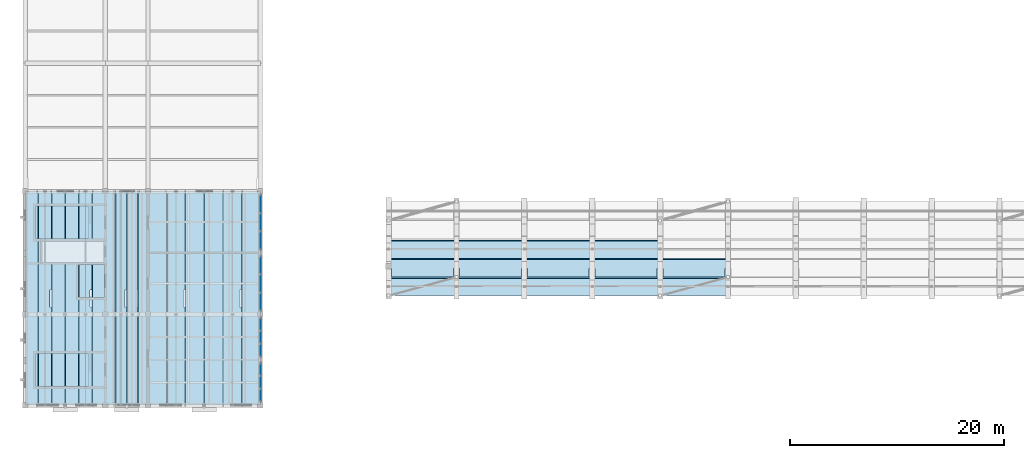
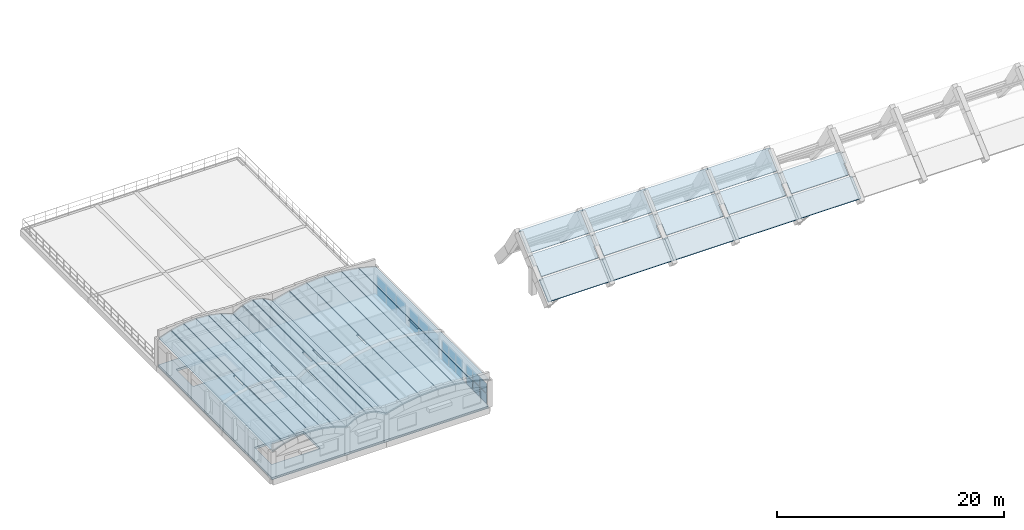
# One storey, part 19 of 40: 31 slabs, 24 plates, 4 elements without a shape of their own.
"""IFC4 building model written with IfcOpenShell, lengths in metres."""

import ifcopenshell
import ifcopenshell.guid

model = None  # the IFC model being written
_history = None  # IfcOwnerHistory: only IFC2X3 demands one
_inside = {}  # id of a spatial element -> (the spatial element, [elements in it])
_under = {}  # id of a project, library or spatial element -> (it, [spatial elements below it])
_declared = {}  # id of a project -> (the project, [libraries it declares])
_typed = {}  # id of a type object -> (the type object, [elements of that type])
_made_of = {}  # id of a material, layer set ... -> (it, [elements and type objects made of it])


def new_model(schema):
    """Start an empty IFC model of exactly this schema.

    Asked for "IFC4X3", IfcOpenShell would pick the latest addendum, in which some entities
    have other attributes; the version numbers below select the first issue.
    IFC2X3 requires an IfcOwnerHistory on every rooted entity: one is made here for all.
    """
    global model, _history
    if schema == "IFC4X3":
        model = ifcopenshell.file(schema_version=(4, 3, 0, 0))
    else:
        model = ifcopenshell.file(schema=schema)
    _inside.clear()
    _under.clear()
    _declared.clear()
    _typed.clear()
    _made_of.clear()
    _history = None
    if model.schema == "IFC2X3":
        org = make("IfcOrganization", Name="unknown")
        user = make(
            "IfcPersonAndOrganization",
            ThePerson=make("IfcPerson", FamilyName="unknown"),
            TheOrganization=org,
        )
        app = make(
            "IfcApplication",
            ApplicationDeveloper=org,
            Version="unknown",
            ApplicationFullName="unknown",
            ApplicationIdentifier="unknown",
        )
        _history = make(
            "IfcOwnerHistory",
            OwningUser=user,
            OwningApplication=app,
            ChangeAction="ADDED",
            CreationDate=0,
        )
    return model


def make(cls, **values):
    """One entity of the class cls with the attributes given. An attribute that is None is left unset."""
    return model.create_entity(
        cls, **{name: value for name, value in values.items() if value is not None}
    )


def rooted(cls, **values):
    """An entity with a GlobalId (a new one), such as an element, a storey or a relation."""
    return make(cls, GlobalId=ifcopenshell.guid.new(), OwnerHistory=_history, **values)


def si_unit(unit_type, name, prefix=None):
    """IfcSIUnit, for example si_unit("LENGTHUNIT", "METRE", prefix="MILLI")."""
    return make("IfcSIUnit", UnitType=unit_type, Prefix=prefix, Name=name)


def assignment(units):
    """IfcUnitAssignment: the units of a project."""
    return None if units is None else make("IfcUnitAssignment", Units=units)


def point(xyz):
    """IfcCartesianPoint."""
    return None if xyz is None else make("IfcCartesianPoint", Coordinates=xyz)


def direction(xyz):
    """IfcDirection."""
    return None if xyz is None else make("IfcDirection", DirectionRatios=xyz)


def frame(location, z_axis=None, x_axis=None):
    """IfcAxis2Placement3D, a coordinate frame: its origin and axes. An axis left out is left unset."""
    return make(
        "IfcAxis2Placement3D",
        Location=point(location),
        Axis=direction(z_axis),
        RefDirection=direction(x_axis),
    )


def frame_2d(location, x_axis=None):
    """IfcAxis2Placement2D, a coordinate frame in the plane: its origin and x axis."""
    return make(
        "IfcAxis2Placement2D", Location=point(location), RefDirection=direction(x_axis)
    )


def origin():
    """The frame at (0, 0, 0) with its axes left unset."""
    return frame((0.0, 0.0, 0.0))


def origin_2d():
    """The frame at (0, 0) in the plane with its x axis left unset."""
    return frame_2d((0.0, 0.0))


def place(relative_to, where):
    """IfcLocalPlacement: puts the frame where relative to a parent placement (None: the world)."""
    return make(
        "IfcLocalPlacement", PlacementRelTo=relative_to, RelativePlacement=where
    )


def context(
    kind, dimensions, precision=None, world=None, true_north=None, identifier=None
):
    """IfcGeometricRepresentationContext, for example the 3D "Model" context."""
    return make(
        "IfcGeometricRepresentationContext",
        ContextIdentifier=identifier,
        ContextType=kind,
        CoordinateSpaceDimension=dimensions,
        Precision=precision,
        WorldCoordinateSystem=world,
        TrueNorth=true_north,
    )


def subcontext(parent, identifier, kind, view, scale=None):
    """IfcGeometricRepresentationSubContext, for example "Body" below "Model"."""
    return make(
        "IfcGeometricRepresentationSubContext",
        ContextIdentifier=identifier,
        ContextType=kind,
        ParentContext=parent,
        TargetScale=scale,
        TargetView=view,
    )


def project(units=None, contexts=None):
    """IfcProject with its units and contexts."""
    return rooted(
        "IfcProject",
        Name="project",
        RepresentationContexts=contexts,
        UnitsInContext=assignment(units),
    )


def spatial(cls, under=None, at=None, **own):
    """A site, building, storey or space (cls), placed at a placement, below another one or the project."""
    s = rooted(cls, ObjectPlacement=at, **own)
    if under is not None:
        _under.setdefault(under.id(), (under, []))[1].append(s)
    return s


def polyline(points):
    """IfcPolyline through the points."""
    return make("IfcPolyline", Points=[point(p) for p in points])


def profile(cls, at=None, kind="AREA", **sizes):
    """A parametric profile (cls). Its sizes go by their IFC names, for example OverallWidth=200.0."""
    return make(cls, ProfileType=kind, Position=at, **sizes)


def rectangle(**sizes):
    """IfcRectangleProfileDef."""
    return profile("IfcRectangleProfileDef", **sizes)


def outline(outer, holes=None, kind="AREA"):
    """IfcArbitraryClosedProfileDef: a profile drawn as a closed curve; with holes, ...WithVoids."""
    if holes is None:
        return make("IfcArbitraryClosedProfileDef", ProfileType=kind, OuterCurve=outer)
    return make(
        "IfcArbitraryProfileDefWithVoids",
        ProfileType=kind,
        OuterCurve=outer,
        InnerCurves=holes,
    )


def extrude(swept, where, along, depth):
    """IfcExtrudedAreaSolid: the profile swept, set in the frame where, extruded along a direction by depth."""
    return make(
        "IfcExtrudedAreaSolid",
        SweptArea=swept,
        Position=where,
        ExtrudedDirection=direction(along),
        Depth=depth,
    )


def shape(context_of_items, identifier, shape_type, items):
    """IfcShapeRepresentation: the items that make up one representation, for example the "Body"."""
    return make(
        "IfcShapeRepresentation",
        ContextOfItems=context_of_items,
        RepresentationIdentifier=identifier,
        RepresentationType=shape_type,
        Items=items,
    )


def material(Name=None, Category=None):
    """IfcMaterial."""
    return make("IfcMaterial", Name=Name, Category=Category)


def layer(
    of_material, thickness, ventilated=None, Name=None, Category=None, Priority=None
):
    """IfcMaterialLayer: one layer of a wall or slab, of a material (None: an air gap)."""
    return make(
        "IfcMaterialLayer",
        Material=of_material,
        LayerThickness=thickness,
        IsVentilated=ventilated,
        Name=Name,
        Category=Category,
        Priority=Priority,
    )


def layer_set(layers, Name=None):
    """IfcMaterialLayerSet."""
    return make("IfcMaterialLayerSet", MaterialLayers=layers, LayerSetName=Name)


def made_of(thing, what):
    """Note that an element or type object is made of a material, layer set ...; save() writes the relation."""
    if what is not None:
        _made_of.setdefault(what.id(), (what, []))[1].append(thing)
    return thing


def type_object(cls, material=None, **own):
    """A type object (cls), such as IfcWallType, which elements share."""
    return made_of(rooted(cls, **own), material)


def element(
    cls,
    number,
    at=None,
    inside=None,
    cuts=None,
    type_object=None,
    material=None,
    context=None,
    identifier="Body",
    shape_type=None,
    held_by="IfcProductDefinitionShape",
    body=None,
    shapes=None,
    **own,
):
    """One element of the class cls, such as IfcWall. Its Tag is "e" and its number.

    at: its placement. inside: the storey or other place that contains it. cuts: it is an
    opening in that element (IfcRelVoidsElement). A single representation is given by context,
    identifier, shape_type and body (its items); several are given by shapes. held_by: the class
    of the entity that holds the representations. save() writes the other relations.
    """
    e = rooted(cls, Tag="e%d" % number, ObjectPlacement=at, **own)
    if body is not None:
        shapes = [shape(context, identifier, shape_type, body)]
    if shapes is not None:
        e.Representation = make(held_by, Representations=shapes)
    if inside is not None:
        _inside.setdefault(inside.id(), (inside, []))[1].append(e)
    if cuts is not None:
        rooted(
            "IfcRelVoidsElement", RelatingBuildingElement=cuts, RelatedOpeningElement=e
        )
    if type_object is not None:
        _typed.setdefault(type_object.id(), (type_object, []))[1].append(e)
    return made_of(e, material)


def aggregate(whole, parts):
    """IfcRelAggregates: a whole, such as a stair, and the parts it consists of."""
    return rooted("IfcRelAggregates", RelatingObject=whole, RelatedObjects=parts)


def save(model, path):
    """Write the relations noted so far, then the file.

    IfcRelAggregates (storeys below a building ...), IfcRelContainedInSpatialStructure (elements
    in a storey), IfcRelDefinesByType, IfcRelAssociatesMaterial and IfcRelDeclares: one each for
    every whole, place, type object, material and project.
    """
    for whole, parts in _under.values():
        aggregate(whole, parts)
    for where, things in _inside.values():
        rooted(
            "IfcRelContainedInSpatialStructure",
            RelatedElements=things,
            RelatingStructure=where,
        )
    for kind, things in _typed.values():
        rooted("IfcRelDefinesByType", RelatedObjects=things, RelatingType=kind)
    for what, things in _made_of.values():
        rooted("IfcRelAssociatesMaterial", RelatedObjects=things, RelatingMaterial=what)
    for by, libraries in _declared.values():
        rooted("IfcRelDeclares", RelatingContext=by, RelatedDefinitions=libraries)
    model.write(path)


model = new_model("IFC4")

# Units and contexts
model_context = context("Model", 3, precision=1e-05, world=origin(), true_north=direction((0.0, 1.0)))
body_context = subcontext(model_context, "Body", "Model", "MODEL_VIEW")
ifc_project = project(units=[si_unit("LENGTHUNIT", "METRE"), si_unit("AREAUNIT", "SQUARE_METRE"), si_unit("VOLUMEUNIT", "CUBIC_METRE"), si_unit("PLANEANGLEUNIT", "RADIAN"), si_unit("MASSUNIT", "GRAM", prefix="KILO")], contexts=[model_context])

# Site, building, storey
site_placement = place(None, origin())
site = spatial("IfcSite", under=ifc_project, at=site_placement, CompositionType="ELEMENT")
building_placement = place(site_placement, origin())
building = spatial("IfcBuilding", under=site, at=building_placement, Name="Trellovar Central Fire Station", CompositionType="ELEMENT")
storey_placement = place(building_placement, frame((0.0, 0.0, 12.75)))
storey = spatial("IfcBuildingStorey", under=building, at=storey_placement, Name="L04", CompositionType="ELEMENT", Elevation=12.75)

# Curtain wall, plate
ifc_material_1 = material(Name="Thermally broken bronze anodized aluminum", Category="aluminium")
ifc_layer_1 = layer(ifc_material_1, 0.159912109375)
ifc_layer_set_1 = layer_set([ifc_layer_1], Name="Thermally broken bronze anodized aluminum")
curtain_wall_type_1 = type_object("IfcCurtainWallType", Name="CW-01", PredefinedType="NOTDEFINED", material=ifc_layer_set_1)
curtain_wall_1_placement = place(storey_placement, origin())
curtain_wall_1 = element("IfcCurtainWall", 1, at=curtain_wall_1_placement, inside=storey, type_object=curtain_wall_type_1, Name="L04 curtain wall CW-1", PredefinedType="NOTDEFINED")
ifc_material_2 = material(Name="Double low-E solar control insulated glazing", Category="glass")
ifc_layer_2 = layer(ifc_material_2, 0.031982421875)
ifc_layer_set_2 = layer_set([ifc_layer_2], Name="Double low-E solar control insulated glazing")
plate_type_1 = type_object("IfcPlateType", Name="CWP-GL1", PredefinedType="CURTAIN_PANEL", material=ifc_layer_set_2)
plate_1_placement = place(storey_placement, frame((23.0, 12.345703125, 1.159912109375), z_axis=(0.0, 0.0, 1.0), x_axis=(0.0, 1.0, 0.0)))
plate_1 = element("IfcPlate", 2, at=plate_1_placement, type_object=plate_type_1, Name="CW3-L04-0053 panel 3-2", PredefinedType="CURTAIN_PANEL", context=body_context, shape_type="SweptSolid", body=[
    extrude(rectangle(XDim=1.12841796875, YDim=0.031982421875, at=origin_2d()), origin(), (0.0, 0.0, 1.0), 1.0400390625),
])

curtain_wall_2_placement = place(storey_placement, origin())
curtain_wall_2 = element("IfcCurtainWall", 3, at=curtain_wall_2_placement, inside=storey, type_object=curtain_wall_type_1, Name="L04 curtain wall CW-1", PredefinedType="NOTDEFINED")
plate_2_placement = place(storey_placement, frame((23.0, 15.362548828125, 1.159912109375), z_axis=(0.0, 0.0, 1.0), x_axis=(0.0, 1.0, 0.0)))
plate_2 = element("IfcPlate", 4, at=plate_2_placement, type_object=plate_type_1, Name="CW3-L04-0054 panel 2-2", PredefinedType="CURTAIN_PANEL", context=body_context, shape_type="SweptSolid", body=[
    extrude(rectangle(XDim=1.12841796875, YDim=0.031982421875, at=origin_2d()), origin(), (0.0, 0.0, 1.0), 1.0400390625),
])

ifc_material_3 = material(Name="Thermally broken bronze anodized aluminum", Category="aluminium")
ifc_layer_3 = layer(ifc_material_3, 0.159912109375)
ifc_layer_set_3 = layer_set([ifc_layer_3], Name="Thermally broken bronze anodized aluminum")
curtain_wall_type_2 = type_object("IfcCurtainWallType", Name="CW-02", PredefinedType="NOTDEFINED", material=ifc_layer_set_3)
curtain_wall_3_placement = place(storey_placement, origin())
curtain_wall_3 = element("IfcCurtainWall", 5, at=curtain_wall_3_placement, inside=storey, type_object=curtain_wall_type_2, Name="L04 curtain wall CW-2", PredefinedType="NOTDEFINED")
plate_3_placement = place(storey_placement, frame((23.0, 18.67919921875, 1.159912109375), z_axis=(0.0, 0.0, 1.0), x_axis=(0.0, 1.0, 0.0)))
plate_3 = element("IfcPlate", 6, at=plate_3_placement, type_object=plate_type_1, Name="CW3-L04-0055 panel 1-2", PredefinedType="CURTAIN_PANEL", context=body_context, shape_type="SweptSolid", body=[
    extrude(rectangle(XDim=1.62841796875, YDim=0.031982421875, at=origin_2d()), origin(), (0.0, 0.0, 1.0), 1.0400390625),
])

# Plate
ifc_material_4 = material(Name="Double low-E solar control insulated glazing", Category="glass")
ifc_layer_4 = layer(ifc_material_4, 0.035888671875)
ifc_layer_set_4 = layer_set([ifc_layer_4], Name="Double low-E solar control insulated glazing")
plate_type_2 = type_object("IfcPlateType", Name="CWP-GL2", PredefinedType="CURTAIN_PANEL", material=ifc_layer_set_4)
plate_4_placement = place(storey_placement, frame((23.0, 16.57080078125, 1.159912109375), z_axis=(0.0, 0.0, 1.0), x_axis=(0.0, 1.0, 0.0)))
plate_4 = element("IfcPlate", 7, at=plate_4_placement, type_object=plate_type_2, Name="CW3-L04-0054 panel 3-2", PredefinedType="CURTAIN_PANEL", context=body_context, shape_type="SweptSolid", body=[
    extrude(rectangle(XDim=1.12841796875, YDim=0.035888671875, at=origin_2d()), origin(), (0.0, 0.0, 1.0), 1.0400390625),
])

plate_5_placement = place(storey_placement, frame((23.0, 20.387451171875, 1.159912109375), z_axis=(0.0, 0.0, 1.0), x_axis=(0.0, 1.0, 0.0)))
plate_5 = element("IfcPlate", 8, at=plate_5_placement, type_object=plate_type_2, Name="CW3-L04-0055 panel 2-2", PredefinedType="CURTAIN_PANEL", context=body_context, shape_type="SweptSolid", body=[
    extrude(rectangle(XDim=1.62841796875, YDim=0.035888671875, at=origin_2d()), origin(), (0.0, 0.0, 1.0), 1.0400390625),
])

# Curtain wall, plate
curtain_wall_4_placement = place(storey_placement, origin())
curtain_wall_4 = element("IfcCurtainWall", 9, at=curtain_wall_4_placement, inside=storey, type_object=curtain_wall_type_2, Name="L04 curtain wall CW-2", PredefinedType="NOTDEFINED")
plate_6_placement = place(storey_placement, frame((23.0, 24.404296875, 1.159912109375), z_axis=(0.0, 0.0, 1.0), x_axis=(0.0, 1.0, 0.0)))
plate_6 = element("IfcPlate", 10, at=plate_6_placement, type_object=plate_type_2, Name="CW3-L04-0056 panel 1-2", PredefinedType="CURTAIN_PANEL", context=body_context, shape_type="SweptSolid", body=[
    extrude(rectangle(XDim=1.62841796875, YDim=0.035888671875, at=origin_2d()), origin(), (0.0, 0.0, 1.0), 1.0400390625),
])

# Plate
ifc_material_5 = material(Name="Double low-E solar control insulated glazing", Category="glass")
ifc_layer_5 = layer(ifc_material_5, 0.033935546875)
ifc_layer_set_5 = layer_set([ifc_layer_5], Name="Double low-E solar control insulated glazing")
plate_type_3 = type_object("IfcPlateType", Name="CWP-GL3", PredefinedType="CURTAIN_PANEL", material=ifc_layer_set_5)
plate_7_placement = place(storey_placement, frame((23.0, 9.92919921875, 1.159912109375), z_axis=(0.0, 0.0, 1.0), x_axis=(0.0, 1.0, 0.0)))
plate_7 = element("IfcPlate", 11, at=plate_7_placement, type_object=plate_type_3, Name="CW3-L04-0053 panel 1-2", PredefinedType="CURTAIN_PANEL", context=body_context, shape_type="SweptSolid", body=[
    extrude(rectangle(XDim=1.12841796875, YDim=0.033935546875, at=origin_2d()), origin(), (0.0, 0.0, 1.0), 1.0400390625),
])

plate_8_placement = place(storey_placement, frame((23.0, 22.095703125, 1.159912109375), z_axis=(0.0, 0.0, 1.0), x_axis=(0.0, 1.0, 0.0)))
plate_8 = element("IfcPlate", 12, at=plate_8_placement, type_object=plate_type_3, Name="CW3-L04-0055 panel 3-2", PredefinedType="CURTAIN_PANEL", context=body_context, shape_type="SweptSolid", body=[
    extrude(rectangle(XDim=1.62841796875, YDim=0.033935546875, at=origin_2d()), origin(), (0.0, 0.0, 1.0), 1.0400390625),
])

plate_9_placement = place(storey_placement, frame((23.0, 26.112548828125, 1.159912109375), z_axis=(0.0, 0.0, 1.0), x_axis=(0.0, 1.0, 0.0)))
plate_9 = element("IfcPlate", 13, at=plate_9_placement, type_object=plate_type_3, Name="CW3-L04-0056 panel 2-2", PredefinedType="CURTAIN_PANEL", context=body_context, shape_type="SweptSolid", body=[
    extrude(rectangle(XDim=1.62841796875, YDim=0.033935546875, at=origin_2d()), origin(), (0.0, 0.0, 1.0), 1.0400390625),
])

ifc_material_6 = material(Name="Double low-E solar control insulated glazing", Category="glass")
ifc_layer_6 = layer(ifc_material_6, 0.030029296875)
ifc_layer_set_6 = layer_set([ifc_layer_6], Name="Double low-E solar control insulated glazing")
plate_type_4 = type_object("IfcPlateType", Name="CWP-GL4", PredefinedType="CURTAIN_PANEL", material=ifc_layer_set_6)
plate_10_placement = place(storey_placement, frame((23.0, 11.137451171875, 1.159912109375), z_axis=(0.0, 0.0, 1.0), x_axis=(0.0, 1.0, 0.0)))
plate_10 = element("IfcPlate", 14, at=plate_10_placement, type_object=plate_type_4, Name="CW3-L04-0053 panel 2-2", PredefinedType="CURTAIN_PANEL", context=body_context, shape_type="SweptSolid", body=[
    extrude(rectangle(XDim=1.12841796875, YDim=0.030029296875, at=origin_2d()), origin(), (0.0, 0.0, 1.0), 1.0400390625),
])

plate_11_placement = place(storey_placement, frame((23.0, 14.154296875, 1.159912109375), z_axis=(0.0, 0.0, 1.0), x_axis=(0.0, 1.0, 0.0)))
plate_11 = element("IfcPlate", 15, at=plate_11_placement, type_object=plate_type_4, Name="CW3-L04-0054 panel 1-2", PredefinedType="CURTAIN_PANEL", context=body_context, shape_type="SweptSolid", body=[
    extrude(rectangle(XDim=1.12841796875, YDim=0.030029296875, at=origin_2d()), origin(), (0.0, 0.0, 1.0), 1.0400390625),
])

plate_12_placement = place(storey_placement, frame((23.0, 27.82080078125, 1.159912109375), z_axis=(0.0, 0.0, 1.0), x_axis=(0.0, 1.0, 0.0)))
plate_12 = element("IfcPlate", 16, at=plate_12_placement, type_object=plate_type_4, Name="CW3-L04-0056 panel 3-2", PredefinedType="CURTAIN_PANEL", context=body_context, shape_type="SweptSolid", body=[
    extrude(rectangle(XDim=1.62841796875, YDim=0.030029296875, at=origin_2d()), origin(), (0.0, 0.0, 1.0), 1.0400390625),
])

ifc_material_7 = material(Name="Glazed ceramic trencadis and terracotta panel", Category="masonry")
ifc_layer_7 = layer(ifc_material_7, 0.048095703125)
ifc_layer_set_7 = layer_set([ifc_layer_7], Name="Glazed ceramic trencadis and terracotta panel")
plate_type_5 = type_object("IfcPlateType", Name="CWP-SP1", PredefinedType="CURTAIN_PANEL", material=ifc_layer_set_7)
plate_13_placement = place(storey_placement, frame((23.0, 11.137451171875, 0.0400390625), z_axis=(0.0, 0.0, 1.0), x_axis=(0.0, 1.0, 0.0)))
plate_13 = element("IfcPlate", 17, at=plate_13_placement, type_object=plate_type_5, Name="CW3-L04-0053 panel 2-1", PredefinedType="CURTAIN_PANEL", context=body_context, shape_type="SweptSolid", body=[
    extrude(rectangle(XDim=1.12841796875, YDim=0.048095703125, at=origin_2d()), origin(), (0.0, 0.0, 1.0), 1.0400390625),
])

plate_14_placement = place(storey_placement, frame((23.0, 14.154296875, 0.0400390625), z_axis=(0.0, 0.0, 1.0), x_axis=(0.0, 1.0, 0.0)))
plate_14 = element("IfcPlate", 18, at=plate_14_placement, type_object=plate_type_5, Name="CW3-L04-0054 panel 1-1", PredefinedType="CURTAIN_PANEL", context=body_context, shape_type="SweptSolid", body=[
    extrude(rectangle(XDim=1.12841796875, YDim=0.048095703125, at=origin_2d()), origin(), (0.0, 0.0, 1.0), 1.0400390625),
])

plate_15_placement = place(storey_placement, frame((23.0, 16.57080078125, 0.0400390625), z_axis=(0.0, 0.0, 1.0), x_axis=(0.0, 1.0, 0.0)))
plate_15 = element("IfcPlate", 19, at=plate_15_placement, type_object=plate_type_5, Name="CW3-L04-0054 panel 3-1", PredefinedType="CURTAIN_PANEL", context=body_context, shape_type="SweptSolid", body=[
    extrude(rectangle(XDim=1.12841796875, YDim=0.048095703125, at=origin_2d()), origin(), (0.0, 0.0, 1.0), 1.0400390625),
])

plate_16_placement = place(storey_placement, frame((23.0, 20.387451171875, 0.0400390625), z_axis=(0.0, 0.0, 1.0), x_axis=(0.0, 1.0, 0.0)))
plate_16 = element("IfcPlate", 20, at=plate_16_placement, type_object=plate_type_5, Name="CW3-L04-0055 panel 2-1", PredefinedType="CURTAIN_PANEL", context=body_context, shape_type="SweptSolid", body=[
    extrude(rectangle(XDim=1.62841796875, YDim=0.048095703125, at=origin_2d()), origin(), (0.0, 0.0, 1.0), 1.0400390625),
])

plate_17_placement = place(storey_placement, frame((23.0, 24.404296875, 0.0400390625), z_axis=(0.0, 0.0, 1.0), x_axis=(0.0, 1.0, 0.0)))
plate_17 = element("IfcPlate", 21, at=plate_17_placement, type_object=plate_type_5, Name="CW3-L04-0056 panel 1-1", PredefinedType="CURTAIN_PANEL", context=body_context, shape_type="SweptSolid", body=[
    extrude(rectangle(XDim=1.62841796875, YDim=0.048095703125, at=origin_2d()), origin(), (0.0, 0.0, 1.0), 1.0400390625),
])

plate_18_placement = place(storey_placement, frame((23.0, 27.82080078125, 0.0400390625), z_axis=(0.0, 0.0, 1.0), x_axis=(0.0, 1.0, 0.0)))
plate_18 = element("IfcPlate", 22, at=plate_18_placement, type_object=plate_type_5, Name="CW3-L04-0056 panel 3-1", PredefinedType="CURTAIN_PANEL", context=body_context, shape_type="SweptSolid", body=[
    extrude(rectangle(XDim=1.62841796875, YDim=0.048095703125, at=origin_2d()), origin(), (0.0, 0.0, 1.0), 1.0400390625),
])

ifc_material_8 = material(Name="Glazed ceramic trencadis and terracotta panel", Category="masonry")
ifc_layer_8 = layer(ifc_material_8, 0.044921875)
ifc_layer_set_8 = layer_set([ifc_layer_8], Name="Glazed ceramic trencadis and terracotta panel")
plate_type_6 = type_object("IfcPlateType", Name="CWP-SP2", PredefinedType="CURTAIN_PANEL", material=ifc_layer_set_8)
plate_19_placement = place(storey_placement, frame((23.0, 9.92919921875, 0.0400390625), z_axis=(0.0, 0.0, 1.0), x_axis=(0.0, 1.0, 0.0)))
plate_19 = element("IfcPlate", 23, at=plate_19_placement, type_object=plate_type_6, Name="CW3-L04-0053 panel 1-1", PredefinedType="CURTAIN_PANEL", context=body_context, shape_type="SweptSolid", body=[
    extrude(rectangle(XDim=1.12841796875, YDim=0.044921875, at=origin_2d()), origin(), (0.0, 0.0, 1.0), 1.0400390625),
])

plate_20_placement = place(storey_placement, frame((23.0, 12.345703125, 0.0400390625), z_axis=(0.0, 0.0, 1.0), x_axis=(0.0, 1.0, 0.0)))
plate_20 = element("IfcPlate", 24, at=plate_20_placement, type_object=plate_type_6, Name="CW3-L04-0053 panel 3-1", PredefinedType="CURTAIN_PANEL", context=body_context, shape_type="SweptSolid", body=[
    extrude(rectangle(XDim=1.12841796875, YDim=0.044921875, at=origin_2d()), origin(), (0.0, 0.0, 1.0), 1.0400390625),
])

aggregate(curtain_wall_1, [plate_19, plate_7, plate_13, plate_10, plate_20, plate_1])

plate_21_placement = place(storey_placement, frame((23.0, 15.362548828125, 0.0400390625), z_axis=(0.0, 0.0, 1.0), x_axis=(0.0, 1.0, 0.0)))
plate_21 = element("IfcPlate", 25, at=plate_21_placement, type_object=plate_type_6, Name="CW3-L04-0054 panel 2-1", PredefinedType="CURTAIN_PANEL", context=body_context, shape_type="SweptSolid", body=[
    extrude(rectangle(XDim=1.12841796875, YDim=0.044921875, at=origin_2d()), origin(), (0.0, 0.0, 1.0), 1.0400390625),
])

aggregate(curtain_wall_2, [plate_14, plate_11, plate_21, plate_2, plate_15, plate_4])

plate_22_placement = place(storey_placement, frame((23.0, 18.67919921875, 0.0400390625), z_axis=(0.0, 0.0, 1.0), x_axis=(0.0, 1.0, 0.0)))
plate_22 = element("IfcPlate", 26, at=plate_22_placement, type_object=plate_type_6, Name="CW3-L04-0055 panel 1-1", PredefinedType="CURTAIN_PANEL", context=body_context, shape_type="SweptSolid", body=[
    extrude(rectangle(XDim=1.62841796875, YDim=0.044921875, at=origin_2d()), origin(), (0.0, 0.0, 1.0), 1.0400390625),
])

plate_23_placement = place(storey_placement, frame((23.0, 22.095703125, 0.0400390625), z_axis=(0.0, 0.0, 1.0), x_axis=(0.0, 1.0, 0.0)))
plate_23 = element("IfcPlate", 27, at=plate_23_placement, type_object=plate_type_6, Name="CW3-L04-0055 panel 3-1", PredefinedType="CURTAIN_PANEL", context=body_context, shape_type="SweptSolid", body=[
    extrude(rectangle(XDim=1.62841796875, YDim=0.044921875, at=origin_2d()), origin(), (0.0, 0.0, 1.0), 1.0400390625),
])

aggregate(curtain_wall_3, [plate_22, plate_3, plate_16, plate_5, plate_23, plate_8])

plate_24_placement = place(storey_placement, frame((23.0, 26.112548828125, 0.0400390625), z_axis=(0.0, 0.0, 1.0), x_axis=(0.0, 1.0, 0.0)))
plate_24 = element("IfcPlate", 28, at=plate_24_placement, type_object=plate_type_6, Name="CW3-L04-0056 panel 2-1", PredefinedType="CURTAIN_PANEL", context=body_context, shape_type="SweptSolid", body=[
    extrude(rectangle(XDim=1.62841796875, YDim=0.044921875, at=origin_2d()), origin(), (0.0, 0.0, 1.0), 1.0400390625),
])

aggregate(curtain_wall_4, [plate_17, plate_6, plate_24, plate_9, plate_18, plate_12])

# Slabs
ifc_material_9 = material(Name="Concrete C40/50", Category="concrete")
ifc_layer_9 = layer(ifc_material_9, 0.239990234375)
ifc_layer_set_9 = layer_set([ifc_layer_9], Name="Concrete C40/50")
slab_type_1 = type_object("IfcSlabType", Name="SLB-FL240", PredefinedType="FLOOR", material=ifc_layer_set_9)
slab_1_placement = place(storey_placement, frame((0.0, 0.0, -0.239990234375)))
element("IfcSlab", 29, at=slab_1_placement, inside=storey, type_object=slab_type_1, Name="V4 L04 structural floor slab", PredefinedType="FLOOR", context=body_context, shape_type="SweptSolid", body=[
    extrude(outline(polyline([(1.0, 9.0), (23.0, 9.0), (23.0, 29.0), (1.0, 29.0), (1.0, 9.0)]), holes=[polyline([(6.93994140625, 13.800048828125), (2.0, 13.800048828125), (2.0, 10.800048828125), (6.93994140625, 10.800048828125), (6.93994140625, 13.800048828125)]), polyline([(6.93994140625, 27.60009765625), (2.0, 27.60009765625), (2.0, 24.60009765625), (6.93994140625, 24.60009765625), (6.93994140625, 27.60009765625)]), polyline([(6.0, 19.10009765625), (8.39990234375, 19.10009765625), (8.39990234375, 22.10009765625), (6.0, 22.10009765625), (6.0, 19.10009765625)])]), origin(), (0.0, 0.0, 1.0), 0.239990234375),
])
ifc_material_10 = material(Name="Concrete C40/50", Category="concrete")
ifc_layer_10 = layer(ifc_material_10, 0.169921875)
ifc_layer_set_10 = layer_set([ifc_layer_10], Name="Concrete C40/50")
slab_type_2 = type_object("IfcSlabType", Name="SLB-VLT170", PredefinedType="ROOF", material=ifc_layer_set_10)
slab_2_placement = place(storey_placement, frame((1.001953125, 9.0, 2.900634765625), z_axis=(-0.335024931896, 0.0, 0.942209262854), x_axis=(0.942209262854, 0.0, 0.335024931896)))
element("IfcSlab", 30, at=slab_2_placement, inside=storey, type_object=slab_type_2, Name="V4 Catalan barrel vault slab 01-01", PredefinedType="ROOF", context=body_context, shape_type="SweptSolid", body=[
    extrude(outline(polyline([(0.0, 0.0), (1.2621495364761304, 0.0), (1.2621495364761304, 20.000000000000004), (0.0, 20.000000000000004), (0.0, 0.0)])), origin(), (0.0, 0.0, -1.0), 0.169921875),
])
slab_3_placement = place(storey_placement, frame((2.251953125, 9.0, 3.3447265625), z_axis=(-0.208697942193, 0.0, 0.97798014751), x_axis=(0.97798014751, 0.0, 0.208697942193)))
element("IfcSlab", 31, at=slab_3_placement, inside=storey, type_object=slab_type_2, Name="V4 Catalan barrel vault slab 01-02", PredefinedType="ROOF", context=body_context, shape_type="SweptSolid", body=[
    extrude(outline(polyline([(0.0, 0.0), (1.237702147020658, 0.0), (1.237702147020658, 9.199951171875002), (1.053733166151653, 9.199951171875002), (1.053733166151653, 10.800048828125002), (1.237702147020658, 10.800048828125002), (1.237702147020658, 20.000000000000004), (0.0, 20.000000000000004), (0.0, 0.0)])), origin(), (0.0, 0.0, -1.0), 0.169921875),
])
for number, where, z_axis, x_axis, name in (
    (32, (3.501953125, 9.0, 3.611083984375), (-0.071050687429, 0.0, 0.997472706301), (0.997472706301, 0.0, 0.071050687429), "V4 Catalan barrel vault slab 01-03"),
    (33, (4.76416015625, 9.0, 3.698974609375), (0.071050687429, 0.0, 0.997472706301), (0.997472706301, 0.0, -0.071050687429), "V4 Catalan barrel vault slab 01-04"),
):
    element("IfcSlab", number, at=place(storey_placement, frame(where, z_axis=z_axis, x_axis=x_axis)), inside=storey, type_object=slab_type_2, Name=name, PredefinedType="ROOF", context=body_context, shape_type="SweptSolid", body=[
        extrude(outline(polyline([(0.0, 0.0), (1.2370130139455011, 0.0), (1.2370130139455011, 19.999999999999996), (0.0, 19.999999999999996), (0.0, 0.0)])), origin(), (0.0, 0.0, -1.0), 0.169921875),
    ])
slab_4_placement = place(storey_placement, frame((6.03759765625, 9.0, 3.60302734375), z_axis=(0.208682666598, 0.0, 0.97798340715), x_axis=(0.97798340715, 0.0, -0.208682666598)))
element("IfcSlab", 34, at=slab_4_placement, inside=storey, type_object=slab_type_2, Name="V4 Catalan barrel vault slab 01-05", PredefinedType="ROOF", context=body_context, shape_type="SweptSolid", body=[
    extrude(outline(polyline([(0.0, 0.0), (1.237702146951288, 0.0), (1.237702146951288, 9.199951171874998), (1.0536822171680007, 9.199951171874998), (1.0536822171680007, 10.800048828124998), (1.237702146951288, 10.800048828124998), (1.237702146951288, 19.999999999999996), (0.0, 19.999999999999996), (0.0, 0.0)])), origin(), (0.0, 0.0, -1.0), 0.169921875),
])
slab_5_placement = place(storey_placement, frame((7.308837890625, 9.0, 3.323486328125), z_axis=(0.335024931896, 0.0, 0.942209262854), x_axis=(0.942209262854, 0.0, -0.335024931896)))
element("IfcSlab", 35, at=slab_5_placement, inside=storey, type_object=slab_type_2, Name="V4 Catalan barrel vault slab 01-06", PredefinedType="ROOF", context=body_context, shape_type="SweptSolid", body=[
    extrude(outline(polyline([(0.0, 0.0), (1.2621495364761304, 0.0), (1.2621495364761304, 20.000000000000004), (0.0, 20.000000000000004), (0.0, 0.0)])), origin(), (0.0, 0.0, -1.0), 0.169921875),
])
slab_6_placement = place(storey_placement, frame((8.501953125, 9.0, 2.901123046875), z_axis=(-0.514563529107, 0.0, 0.857452257862), x_axis=(0.857452257862, 0.0, 0.514563529107)))
element("IfcSlab", 36, at=slab_6_placement, inside=storey, type_object=slab_type_2, Name="V4 Catalan barrel vault slab 02-01", PredefinedType="ROOF", context=body_context, shape_type="SweptSolid", body=[
    extrude(outline(polyline([(0.0, 0.0), (1.0594727080080812, 0.0), (1.0594727080080812, 20.0), (0.0, 20.0), (0.0, 0.0)])), origin(), (0.0, 0.0, -1.0), 0.169921875),
])
for number, where, z_axis, x_axis, name in (
    (37, (9.501953125, 9.0, 3.50048828125), (-0.195978245428, 0.0, 0.98060824355), (0.98060824355, 0.0, 0.195978245428), "V4 Catalan barrel vault slab 02-02"),
    (38, (10.535400390625, 9.0, 3.69287109375), (0.195978245428, 0.0, 0.98060824355), (0.98060824355, 0.0, -0.195978245428), "V4 Catalan barrel vault slab 02-03"),
):
    element("IfcSlab", number, at=place(storey_placement, frame(where, z_axis=z_axis, x_axis=x_axis)), inside=storey, type_object=slab_type_2, Name=name, PredefinedType="ROOF", context=body_context, shape_type="SweptSolid", body=[
        extrude(outline(polyline([(0.0, 0.0), (0.9816819242471716, 0.0), (0.9816819242471716, 9.199951171875), (0.7982060752299484, 9.199951171875), (0.7982060752299484, 10.800048828125), (0.9816819242471716, 10.800048828125), (0.9816819242471716, 20.0), (0.0, 20.0), (0.0, 0.0)])), origin(), (0.0, 0.0, -1.0), 0.169921875),
    ])
slab_7_placement = place(storey_placement, frame((11.589599609375, 9.0, 3.4462890625), z_axis=(0.514563529107, 0.0, 0.857452257862), x_axis=(0.857452257862, 0.0, -0.514563529107)))
element("IfcSlab", 39, at=slab_7_placement, inside=storey, type_object=slab_type_2, Name="V4 Catalan barrel vault slab 02-04", PredefinedType="ROOF", context=body_context, shape_type="SweptSolid", body=[
    extrude(outline(polyline([(0.0, 0.0), (1.0594727080080812, 0.0), (1.0594727080080812, 20.0), (0.0, 20.0), (0.0, 0.0)])), origin(), (0.0, 0.0, -1.0), 0.169921875),
])
slab_8_placement = place(storey_placement, frame((12.501953125, 9.0, 2.900390625), z_axis=(-0.246160056897, 0.0, 0.969229191878), x_axis=(0.969229191878, 0.0, 0.246160056897)))
element("IfcSlab", 40, at=slab_8_placement, inside=storey, type_object=slab_type_2, Name="V4 Catalan barrel vault slab 03-01", PredefinedType="ROOF", context=body_context, shape_type="SweptSolid", body=[
    extrude(outline(polyline([(0.0, 0.0), (1.7584547776803332, 0.0), (1.7584547776803332, 20.0), (0.0, 20.0), (0.0, 0.0)])), origin(), (0.0, 0.0, -1.0), 0.169921875),
])
slab_9_placement = place(storey_placement, frame((14.251953125, 9.0, 3.3447265625), z_axis=(-0.15066911052, 0.0, 0.988584249892), x_axis=(0.988584249892, 0.0, 0.15066911052)))
element("IfcSlab", 41, at=slab_9_placement, inside=storey, type_object=slab_type_2, Name="V4 Catalan barrel vault slab 03-02", PredefinedType="ROOF", context=body_context, shape_type="SweptSolid", body=[
    extrude(outline(polyline([(0.0, 0.0), (1.7403251547093468, 0.0), (1.7403251547093468, 9.199951171875), (1.55832771023941, 9.199951171875), (1.55832771023941, 10.800048828125), (1.7403251547093468, 10.800048828125), (1.7403251547093468, 20.0), (0.0, 20.0), (0.0, 0.0)])), origin(), (0.0, 0.0, -1.0), 0.169921875),
])
for number, where, z_axis, x_axis, name in (
    (42, (16.001953125, 9.0, 3.611083984375), (-0.050798458732, 0.0, 0.998708924858), (0.998708924858, 0.0, 0.050798458732), "V4 Catalan barrel vault slab 03-03"),
    (43, (17.760498046875, 9.0, 3.699462890625), (0.050798458732, 0.0, 0.998708924858), (0.998708924858, 0.0, -0.050798458732), "V4 Catalan barrel vault slab 03-04"),
):
    element("IfcSlab", number, at=place(storey_placement, frame(where, z_axis=z_axis, x_axis=x_axis)), inside=storey, type_object=slab_type_2, Name=name, PredefinedType="ROOF", context=body_context, shape_type="SweptSolid", body=[
        extrude(outline(polyline([(0.0, 0.0), (1.7397950342464217, 0.0), (1.7397950342464217, 20.0), (0.0, 20.0), (0.0, 0.0)])), origin(), (0.0, 0.0, -1.0), 0.169921875),
    ])
slab_10_placement = place(storey_placement, frame((19.527587890625, 9.0, 3.60693359375), z_axis=(0.15066911052, 0.0, 0.988584249892), x_axis=(0.988584249892, 0.0, -0.15066911052)))
element("IfcSlab", 44, at=slab_10_placement, inside=storey, type_object=slab_type_2, Name="V4 Catalan barrel vault slab 03-05", PredefinedType="ROOF", context=body_context, shape_type="SweptSolid", body=[
    extrude(outline(polyline([(0.0, 0.0), (1.7403251547093468, 0.0), (1.7403251547093468, 9.199951171875), (1.55832771023941, 9.199951171875), (1.55832771023941, 10.800048828125), (1.7403251547093468, 10.800048828125), (1.7403251547093468, 20.0), (0.0, 20.0), (0.0, 0.0)])), origin(), (0.0, 0.0, -1.0), 0.169921875),
])
slab_11_placement = place(storey_placement, frame((21.293701171875, 9.0, 3.333251953125), z_axis=(0.246160056897, 0.0, 0.969229191878), x_axis=(0.969229191878, 0.0, -0.246160056897)))
element("IfcSlab", 45, at=slab_11_placement, inside=storey, type_object=slab_type_2, Name="V4 Catalan barrel vault slab 03-06", PredefinedType="ROOF", context=body_context, shape_type="SweptSolid", body=[
    extrude(outline(polyline([(0.0, 0.0), (1.7584547776803332, 0.0), (1.7584547776803332, 20.0), (0.0, 20.0), (0.0, 0.0)])), origin(), (0.0, 0.0, -1.0), 0.169921875),
])
ifc_material_11 = material(Name="Concrete C40/50", Category="concrete")
ifc_layer_11 = layer(ifc_material_11, 0.179931640625)
ifc_layer_set_11 = layer_set([ifc_layer_11], Name="Concrete C40/50")
slab_type_3 = type_object("IfcSlabType", Name="SLB-VLT180", PredefinedType="ROOF", material=ifc_layer_set_11)
slab_12_placement = place(storey_placement, frame((35.0, 19.241943359375, 0.751708984375), z_axis=(0.0, -0.667701315225, 0.744429280487), x_axis=(1.0, 0.0, 0.0)))
element("IfcSlab", 46, at=slab_12_placement, inside=storey, type_object=slab_type_3, Name="Catalan ski-jump vault strip V1-01-04", PredefinedType="ROOF", context=body_context, shape_type="SweptSolid", body=[
    extrude(outline(polyline([(0.0, 0.0), (6.35009765625, 0.0), (6.35009765625, 2.1796007173278), (0.0, 2.1796007173278), (0.0, 0.0)])), origin(), (0.0, 0.0, -1.0), 0.179931640625),
])
slab_13_placement = place(storey_placement, frame((35.280029296875, 20.98876953125, 2.318603515625), z_axis=(0.0, -0.667692347357, 0.744437323944), x_axis=(1.0, 0.0, 0.0)))
element("IfcSlab", 47, at=slab_13_placement, inside=storey, type_object=slab_type_3, Name="Catalan ski-jump vault strip V1-01-05", PredefinedType="ROOF", context=body_context, shape_type="SweptSolid", body=[
    extrude(outline(polyline([(0.0, 0.0), (5.7900390625, 0.0), (5.7900390625, 1.0895371057777876), (6.070068359375, 1.0895371057777876), (6.070068359375, 2.179255958949116), (-0.280029296875, 2.179255958949116), (-0.280029296875, 1.0895371057777876), (0.0, 1.0895371057777876), (0.0, 0.0)])), origin(), (0.0, 0.0, -1.0), 0.179931640625),
])
slab_14_placement = place(storey_placement, frame((35.0, 22.7353515625, 3.885009765625), z_axis=(0.0, -0.667701315225, 0.744429280487), x_axis=(1.0, 0.0, 0.0)))
element("IfcSlab", 48, at=slab_14_placement, inside=storey, type_object=slab_type_3, Name="Catalan ski-jump vault strip V1-01-06", PredefinedType="ROOF", context=body_context, shape_type="SweptSolid", body=[
    extrude(outline(polyline([(0.0, 0.0), (6.35009765625, 0.0), (6.35009765625, 2.1796007173278), (0.0, 2.1796007173278), (0.0, 0.0)])), origin(), (0.0, 0.0, -1.0), 0.179931640625),
])
slab_15_placement = place(storey_placement, frame((41.35009765625, 19.241943359375, 0.751708984375), z_axis=(0.0, -0.667701315225, 0.744429280487), x_axis=(1.0, 0.0, 0.0)))
element("IfcSlab", 49, at=slab_15_placement, inside=storey, type_object=slab_type_3, Name="Catalan ski-jump vault strip V1-02-04", PredefinedType="ROOF", context=body_context, shape_type="SweptSolid", body=[
    extrude(outline(polyline([(0.0, 0.0), (6.349853515625, 0.0), (6.349853515625, 2.1796007173278), (0.0, 2.1796007173278), (0.0, 0.0)])), origin(), (0.0, 0.0, -1.0), 0.179931640625),
])
slab_16_placement = place(storey_placement, frame((41.6298828125, 20.98876953125, 2.318603515625), z_axis=(0.0, -0.667692348425, 0.744437322986), x_axis=(1.0, 0.0, 0.0)))
element("IfcSlab", 50, at=slab_16_placement, inside=storey, type_object=slab_type_3, Name="Catalan ski-jump vault strip V1-02-05", PredefinedType="ROOF", context=body_context, shape_type="SweptSolid", body=[
    extrude(outline(polyline([(0.0, 0.0), (5.7900390625, 0.0), (5.7900390625, 1.0895371057779097), (6.070068359375, 1.0895371057779097), (6.070068359375, 2.1792559589491267), (-0.27978515625, 2.1792559589491267), (-0.27978515625, 1.0895371057779097), (0.0, 1.0895371057779097), (0.0, 0.0)])), origin(), (0.0, 0.0, -1.0), 0.179931640625),
])
slab_17_placement = place(storey_placement, frame((41.35009765625, 22.7353515625, 3.885009765625), z_axis=(0.0, -0.667701315225, 0.744429280487), x_axis=(1.0, 0.0, 0.0)))
element("IfcSlab", 51, at=slab_17_placement, inside=storey, type_object=slab_type_3, Name="Catalan ski-jump vault strip V1-02-06", PredefinedType="ROOF", context=body_context, shape_type="SweptSolid", body=[
    extrude(outline(polyline([(0.0, 0.0), (6.349853515625, 0.0), (6.349853515625, 2.1796007173278), (0.0, 2.1796007173278), (0.0, 0.0)])), origin(), (0.0, 0.0, -1.0), 0.179931640625),
])
slab_18_placement = place(storey_placement, frame((47.699951171875, 19.241943359375, 0.751708984375), z_axis=(0.0, -0.667701315225, 0.744429280487), x_axis=(1.0, 0.0, 0.0)))
element("IfcSlab", 52, at=slab_18_placement, inside=storey, type_object=slab_type_3, Name="Catalan ski-jump vault strip V1-03-04", PredefinedType="ROOF", context=body_context, shape_type="SweptSolid", body=[
    extrude(outline(polyline([(0.0, 0.0), (6.35009765625, 0.0), (6.35009765625, 2.1796007173278), (0.0, 2.1796007173278), (0.0, 0.0)])), origin(), (0.0, 0.0, -1.0), 0.179931640625),
])
slab_19_placement = place(storey_placement, frame((47.97998046875, 20.98876953125, 2.318603515625), z_axis=(0.0, -0.667692347357, 0.744437323944), x_axis=(1.0, 0.0, 0.0)))
element("IfcSlab", 53, at=slab_19_placement, inside=storey, type_object=slab_type_3, Name="Catalan ski-jump vault strip V1-03-05", PredefinedType="ROOF", context=body_context, shape_type="SweptSolid", body=[
    extrude(outline(polyline([(0.0, 0.0), (5.7900390625, 0.0), (5.7900390625, 1.0895371057777876), (6.070068359375, 1.0895371057777876), (6.070068359375, 2.179255958949116), (-0.280029296875, 2.179255958949116), (-0.280029296875, 1.0895371057777876), (0.0, 1.0895371057777876), (0.0, 0.0)])), origin(), (0.0, 0.0, -1.0), 0.179931640625),
])
slab_20_placement = place(storey_placement, frame((47.699951171875, 22.7353515625, 3.885009765625), z_axis=(0.0, -0.667701315225, 0.744429280487), x_axis=(1.0, 0.0, 0.0)))
element("IfcSlab", 54, at=slab_20_placement, inside=storey, type_object=slab_type_3, Name="Catalan ski-jump vault strip V1-03-06", PredefinedType="ROOF", context=body_context, shape_type="SweptSolid", body=[
    extrude(outline(polyline([(0.0, 0.0), (6.35009765625, 0.0), (6.35009765625, 2.1796007173278), (0.0, 2.1796007173278), (0.0, 0.0)])), origin(), (0.0, 0.0, -1.0), 0.179931640625),
])
slab_21_placement = place(storey_placement, frame((54.050048828125, 19.241943359375, 0.751708984375), z_axis=(0.0, -0.667701315225, 0.744429280487), x_axis=(1.0, 0.0, 0.0)))
element("IfcSlab", 55, at=slab_21_placement, inside=storey, type_object=slab_type_3, Name="Catalan ski-jump vault strip V1-04-04", PredefinedType="ROOF", context=body_context, shape_type="SweptSolid", body=[
    extrude(outline(polyline([(0.0, 0.0), (6.349853515625, 0.0), (6.349853515625, 2.1796007173278), (0.0, 2.1796007173278), (0.0, 0.0)])), origin(), (0.0, 0.0, -1.0), 0.179931640625),
])
slab_22_placement = place(storey_placement, frame((54.330078125, 20.98876953125, 2.318603515625), z_axis=(0.0, -0.667692348425, 0.744437322986), x_axis=(1.0, 0.0, 0.0)))
element("IfcSlab", 56, at=slab_22_placement, inside=storey, type_object=slab_type_3, Name="Catalan ski-jump vault strip V1-04-05", PredefinedType="ROOF", context=body_context, shape_type="SweptSolid", body=[
    extrude(outline(polyline([(0.0, 0.0), (5.7900390625, 0.0), (5.7900390625, 1.0895371057779097), (6.06982421875, 1.0895371057779097), (6.06982421875, 2.1792559589491267), (-0.280029296875, 2.1792559589491267), (-0.280029296875, 1.0895371057779097), (0.0, 1.0895371057779097), (0.0, 0.0)])), origin(), (0.0, 0.0, -1.0), 0.179931640625),
])
slab_23_placement = place(storey_placement, frame((54.050048828125, 22.7353515625, 3.885009765625), z_axis=(0.0, -0.667701315225, 0.744429280487), x_axis=(1.0, 0.0, 0.0)))
element("IfcSlab", 57, at=slab_23_placement, inside=storey, type_object=slab_type_3, Name="Catalan ski-jump vault strip V1-04-06", PredefinedType="ROOF", context=body_context, shape_type="SweptSolid", body=[
    extrude(outline(polyline([(0.0, 0.0), (6.349853515625, 0.0), (6.349853515625, 2.1796007173278), (0.0, 2.1796007173278), (0.0, 0.0)])), origin(), (0.0, 0.0, -1.0), 0.179931640625),
])
slab_24_placement = place(storey_placement, frame((60.39990234375, 19.241943359375, 0.751708984375), z_axis=(0.0, -0.667701315225, 0.744429280487), x_axis=(1.0, 0.0, 0.0)))
element("IfcSlab", 58, at=slab_24_placement, inside=storey, type_object=slab_type_3, Name="Catalan ski-jump vault strip V1-05-04", PredefinedType="ROOF", context=body_context, shape_type="SweptSolid", body=[
    extrude(outline(polyline([(0.0, 0.0), (6.35009765625, 0.0), (6.35009765625, 2.1796007173278), (0.0, 2.1796007173278), (0.0, 0.0)])), origin(), (0.0, 0.0, -1.0), 0.179931640625),
])
slab_25_placement = place(storey_placement, frame((60.679931640625, 20.98876953125, 2.318603515625), z_axis=(0.0, -0.667692347357, 0.744437323944), x_axis=(1.0, 0.0, 0.0)))
element("IfcSlab", 59, at=slab_25_placement, inside=storey, type_object=slab_type_3, Name="Catalan ski-jump vault strip V1-05-05", PredefinedType="ROOF", context=body_context, shape_type="SweptSolid", body=[
    extrude(outline(polyline([(0.0, 0.0), (5.7900390625, 0.0), (5.7900390625, 1.0895371057777876), (6.070068359375, 1.0895371057777876), (6.070068359375, 2.179255958949116), (-0.280029296875, 2.179255958949116), (-0.280029296875, 1.0895371057777876), (0.0, 1.0895371057777876), (0.0, 0.0)])), origin(), (0.0, 0.0, -1.0), 0.179931640625),
])

save(model, "model.ifc")
